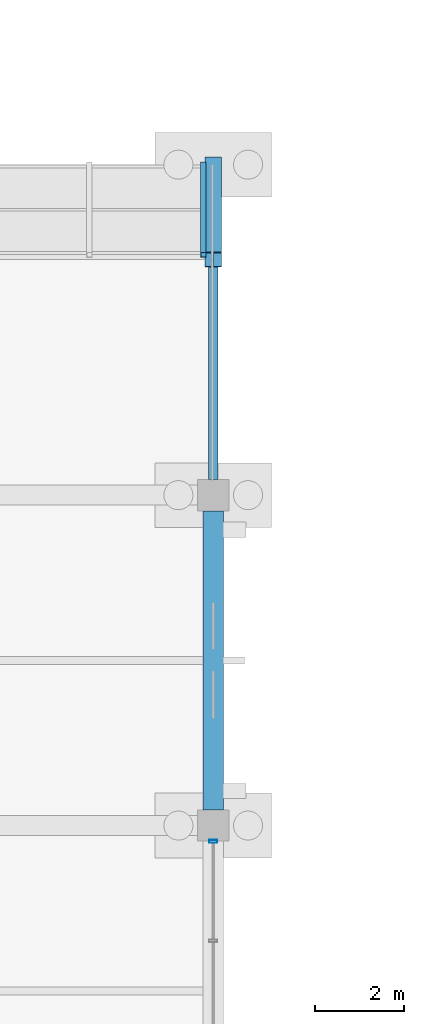
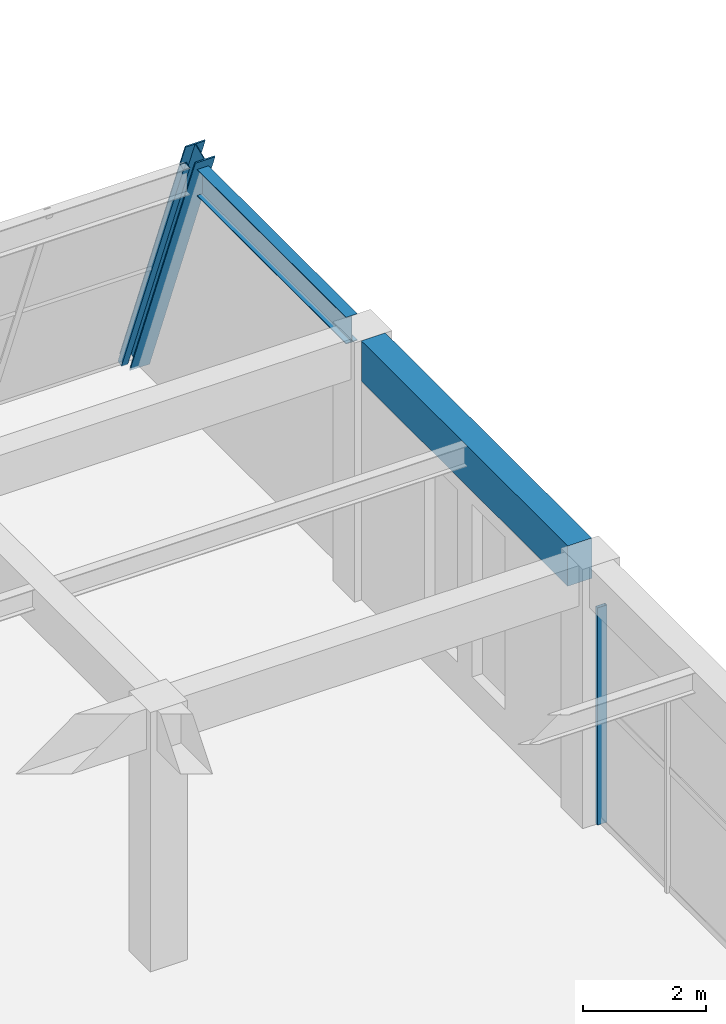
# One storey, part 109 of 140: 3 members, 2 beams, 2 elements without a shape of their own.
"""IFC4 building model written with IfcOpenShell, lengths in metres."""

from ifc_helpers import new_model, si_unit, direction, frame, origin, origin_2d, place, context, subcontext, project, spatial, rectangle, hollow_rectangle, i_section, extrude, material, material_profile, profile_set, type_object, element, aggregate, save


model = new_model("IFC4")

# Units and contexts
model_context = context("Model", 3, precision=1e-05, world=origin(), true_north=direction((0.0, 1.0)))
body_context = subcontext(model_context, "Body", "Model", "MODEL_VIEW")
ifc_project = project(units=[si_unit("LENGTHUNIT", "METRE"), si_unit("AREAUNIT", "SQUARE_METRE"), si_unit("VOLUMEUNIT", "CUBIC_METRE"), si_unit("PLANEANGLEUNIT", "RADIAN"), si_unit("MASSUNIT", "GRAM", prefix="KILO")], contexts=[model_context])

# Site, building, storey
site_placement = place(None, origin())
site = spatial("IfcSite", under=ifc_project, at=site_placement, CompositionType="ELEMENT")
building_placement = place(site_placement, origin())
building = spatial("IfcBuilding", under=site, at=building_placement, Name="Cimatlan Art Gallery", CompositionType="ELEMENT")
storey_placement = place(building_placement, origin())
storey = spatial("IfcBuildingStorey", under=building, at=storey_placement, Name="L00", CompositionType="ELEMENT", Elevation=0.0)

# Beams
ifc_material_1 = material(Name="Concrete C40/50", Category="concrete")
ifc_material_profile_1 = material_profile(ifc_material_1, rectangle(XDim=0.449951171875, YDim=0.800048828125, at=origin_2d()), Name="RC450X800")
ifc_profile_set_1 = profile_set([ifc_material_profile_1], Name="Concrete C40/50")
beam_type_1 = type_object("IfcBeamType", Name="BM-RC-450X800", PredefinedType="BEAM", material=ifc_profile_set_1)
beam_1_placement = place(storey_placement, frame((131.60009765625, 83.449951171875, 4.735107421875), z_axis=(0.0, 1.0, 0.0), x_axis=(-1.0, 0.0, 0.0)))
element("IfcBeam", 1, at=beam_1_placement, inside=storey, type_object=beam_type_1, Name="BM-Y-L00-16-11", PredefinedType="BEAM", context=body_context, shape_type="SweptSolid", body=[
    extrude(rectangle(XDim=0.449951171875, YDim=0.800048828125, at=origin_2d()), origin(), (0.0, 0.0, 1.0), 6.699951171875),
])
ifc_material_2 = material(Name="Steel ASTM A992 Grade 50", Category="steel")
ifc_material_profile_2 = material_profile(ifc_material_2, i_section(OverallWidth=0.2099609375, OverallDepth=0.532958984375, WebThickness=0.01025390625, FlangeThickness=0.015625, at=origin_2d()), Name="W21X62")
ifc_profile_set_2 = profile_set([ifc_material_profile_2], Name="Steel ASTM A992 Grade 50")
beam_type_2 = type_object("IfcBeamType", Name="BM-STL-W21X62", PredefinedType="BEAM", material=ifc_profile_set_2)
beam_2_placement = place(storey_placement, frame((131.60009765625, 90.85009765625, 4.868408203125), z_axis=(0.0, 1.0, 0.0), x_axis=(-1.0, 0.0, 0.0)))
element("IfcBeam", 2, at=beam_2_placement, inside=storey, type_object=beam_type_2, Name="BM-PRW-Y-L00-B4-16", PredefinedType="BEAM", context=body_context, shape_type="SweptSolid", body=[
    extrude(i_section(OverallWidth=0.2099609375, OverallDepth=0.532958984375, WebThickness=0.01025390625, FlangeThickness=0.015625, at=origin_2d()), origin(), (0.0, 0.0, 1.0), 4.837158203125),
])

# Curtain wall, member
ifc_material_3 = material(Name="Anodised bronze unitised curtain wall")
curtain_wall_type_1 = type_object("IfcCurtainWallType", Name="CW-V-06692X04305-B3", PredefinedType="NOTDEFINED", material=ifc_material_3)
curtain_wall_1_placement = place(storey_placement, origin())
curtain_wall_1 = element("IfcCurtainWall", 3, at=curtain_wall_1_placement, inside=storey, type_object=curtain_wall_type_1, Name="CW-L00-15-10-E", PredefinedType="NOTDEFINED")
ifc_material_4 = material(Name="Anodised bronze aluminium 6063-T6", Category="aluminium")
ifc_material_profile_3 = material_profile(ifc_material_4, hollow_rectangle(XDim=0.06494140625, YDim=0.179931640625, WallThickness=0.00390625, at=origin_2d()), Name="ALU65X180X4")
ifc_profile_set_3 = profile_set([ifc_material_profile_3], Name="Anodised bronze aluminium 6063-T6")
member_type_1 = type_object("IfcMemberType", Name="CW-MUL-180", PredefinedType="MULLION", material=ifc_profile_set_3)
member_1_placement = place(storey_placement, frame((131.60009765625, 82.74609375, 0.0), z_axis=(0.0, 0.0, 1.0), x_axis=(0.0, 1.0, 0.0)))
member_1 = element("IfcMember", 4, at=member_1_placement, type_object=member_type_1, Name="CW-L00-15-10-E-M1", PredefinedType="MULLION", context=body_context, shape_type="SweptSolid", body=[
    extrude(hollow_rectangle(XDim=0.06494140625, YDim=0.179931640625, WallThickness=0.00390625, at=origin_2d()), origin(), (0.0, 0.0, 1.0), 4.304931640625),
])
aggregate(curtain_wall_1, [member_1])

ifc_material_5 = material(Name="Raked steel-and-bronze lancet curtain wall", Category="steel")
curtain_wall_type_2 = type_object("IfcCurtainWallType", Name="CW-RAK-07660X05503-B3", PredefinedType="NOTDEFINED", material=ifc_material_5)
curtain_wall_2_placement = place(storey_placement, origin())
curtain_wall_2 = element("IfcCurtainWall", 5, at=curtain_wall_2_placement, inside=storey, type_object=curtain_wall_type_2, Name="CW-PROW-L00-B4-15", PredefinedType="NOTDEFINED")
ifc_material_6 = material(Name="Steel ASTM A500 Grade C", Category="steel")
ifc_material_profile_4 = material_profile(ifc_material_6, hollow_rectangle(XDim=0.1201171875, YDim=0.1201171875, WallThickness=0.00634765625, at=origin_2d()), Name="HSS120X120X6")
ifc_profile_set_4 = profile_set([ifc_material_profile_4], Name="Steel ASTM A500 Grade C")
member_type_2 = type_object("IfcMemberType", Name="CW-MUL-RAK", PredefinedType="MULLION", material=ifc_profile_set_4)
member_2_placement = place(storey_placement, frame((131.3798828125, 97.89990234375, 0.0), z_axis=(0.0, -0.366459344578, 0.930434064709), x_axis=(1.0, 0.0, 0.0)))
member_2 = element("IfcMember", 6, at=member_2_placement, type_object=member_type_2, Name="CW-PROW-L00-B4-15-M4", PredefinedType="MULLION", context=body_context, shape_type="SweptSolid", body=[
    extrude(hollow_rectangle(XDim=0.1201171875, YDim=0.1201171875, WallThickness=0.00634765625, at=origin_2d()), origin(), (0.0, 0.0, 1.0), 5.5029296875),
])
aggregate(curtain_wall_2, [member_2])

# Member
ifc_material_profile_5 = material_profile(ifc_material_2, i_section(OverallWidth=0.37109375, OverallDepth=0.364013671875, WebThickness=0.01318359375, FlangeThickness=0.021728515625, at=origin_2d()), Name="W14X109")
ifc_profile_set_5 = profile_set([ifc_material_profile_5], Name="Steel ASTM A992 Grade 50")
member_type_3 = type_object("IfcMemberType", Name="MBR-RAK-W14X109", PredefinedType="RAFTER", material=ifc_profile_set_5)
member_3_placement = place(storey_placement, frame((131.60009765625, 97.89990234375, 0.0), z_axis=(0.0, -0.366482585354, 0.930424910797), x_axis=(1.0, 0.0, 0.0)))
element("IfcMember", 7, at=member_3_placement, inside=storey, type_object=member_type_3, Name="MBR-RAK-L00-B4-16", PredefinedType="RAFTER", context=body_context, shape_type="SweptSolid", body=[
    extrude(i_section(OverallWidth=0.37109375, OverallDepth=0.364013671875, WebThickness=0.01318359375, FlangeThickness=0.021728515625, at=origin_2d()), origin(), (0.0, 0.0, 1.0), 5.8037109375),
])

save(model, "model.ifc")
